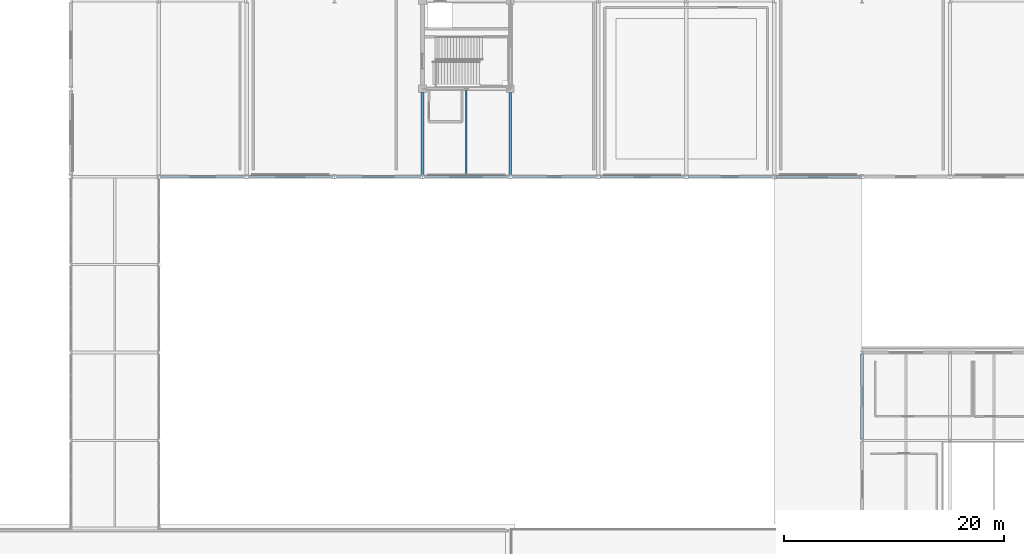
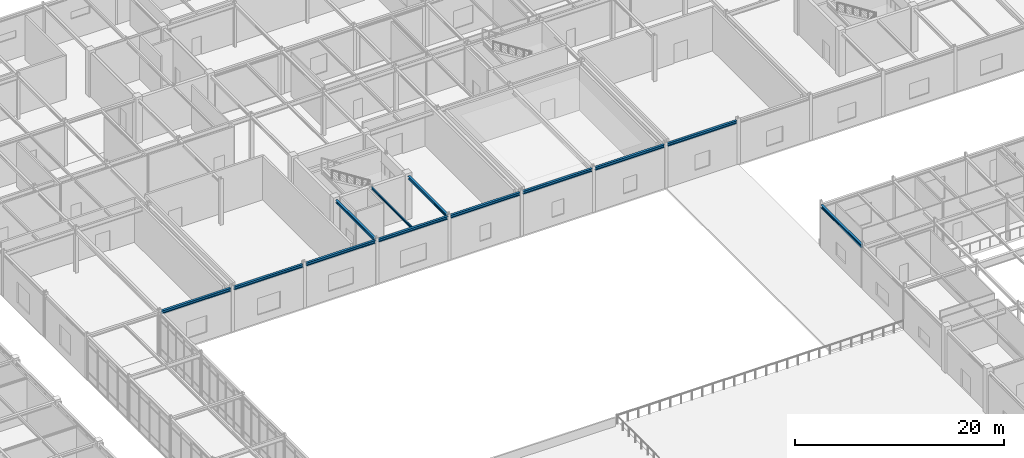
# One storey, part 36 of 108: 12 beams.
"""IFC4 building model written with IfcOpenShell, lengths in metres."""

from ifc_helpers import new_model, si_unit, direction, frame, origin, origin_2d, place, context, subcontext, project, spatial, i_section, extrude, material, material_profile, profile_set, type_object, element, save


model = new_model("IFC4")

# Units and contexts
model_context = context("Model", 3, precision=1e-05, world=origin(), true_north=direction((0.0, 1.0)))
body_context = subcontext(model_context, "Body", "Model", "MODEL_VIEW")
ifc_project = project(units=[si_unit("LENGTHUNIT", "METRE"), si_unit("AREAUNIT", "SQUARE_METRE"), si_unit("VOLUMEUNIT", "CUBIC_METRE"), si_unit("PLANEANGLEUNIT", "RADIAN"), si_unit("MASSUNIT", "GRAM", prefix="KILO")], contexts=[model_context])

# Site, building, storey
site_placement = place(None, origin())
site = spatial("IfcSite", under=ifc_project, at=site_placement, CompositionType="ELEMENT")
building_placement = place(site_placement, origin())
building = spatial("IfcBuilding", under=site, at=building_placement, Name="Zhaolan Boulevard Law Courts", CompositionType="ELEMENT")
storey_placement = place(building_placement, frame((0.0, 0.0, 10.800048828125)))
storey = spatial("IfcBuildingStorey", under=building, at=storey_placement, Name="L02", CompositionType="ELEMENT", Elevation=10.800048828125)

# Beams
ifc_material_1 = material(Name="Structural steel Q355B", Category="steel")
ifc_material_profile_1 = material_profile(ifc_material_1, i_section(OverallWidth=0.25, OverallDepth=0.340087890625, WebThickness=0.009033203125, FlangeThickness=0.013916015625, FilletRadius=0.01611328125, at=origin_2d()), Name="HM340x250")
ifc_profile_set_1 = profile_set([ifc_material_profile_1], Name="Structural steel Q355B")
beam_type_1 = type_object("IfcBeamType", Name="GIRDER HM340", PredefinedType="BEAM", material=ifc_profile_set_1)
for number, where, z_axis, x_axis, name in (
    (1, (84.0, 62.1708984375, 4.947998046875), (0.0, 1.0, 0.0), (-1.0, 0.0, 0.0), "Beam BY-L03-11-J-K"),
    (2, (92.0, 62.1708984375, 4.947998046875), (0.0, 1.0, 0.0), (-1.0, 0.0, 0.0), "Beam BY-L03-12-J-K"),
):
    element("IfcBeam", number, at=place(storey_placement, frame(where, z_axis=z_axis, x_axis=x_axis)), inside=storey, type_object=beam_type_1, Name=name, PredefinedType="BEAM", context=body_context, shape_type="SweptSolid", body=[
        extrude(i_section(OverallWidth=0.25, OverallDepth=0.340087890625, WebThickness=0.009033203125, FlangeThickness=0.013916015625, FilletRadius=0.01611328125, at=origin_2d()), origin(), (0.0, 0.0, 1.0), 7.483154296875),
    ])
beam_1_placement = place(storey_placement, frame((124.0, 38.12109375, 4.787841796875), z_axis=(0.0, 1.0, 0.0), x_axis=(-1.0, 0.0, 0.0)))
element("IfcBeam", 3, at=beam_1_placement, inside=storey, type_object=beam_type_1, Name="Beam BY-L03-16-F-G", PredefinedType="BEAM", context=body_context, shape_type="SweptSolid", body=[
    extrude(i_section(OverallWidth=0.25, OverallDepth=0.340087890625, WebThickness=0.009033203125, FlangeThickness=0.013916015625, FilletRadius=0.01611328125, at=origin_2d()), origin(), (0.0, 0.0, 1.0), 7.7578125),
])
ifc_material_2 = material(Name="Structural steel Q355B", Category="steel")
ifc_material_profile_2 = material_profile(ifc_material_2, i_section(OverallWidth=0.125, OverallDepth=0.25, WebThickness=0.006103515625, FlangeThickness=0.009033203125, FilletRadius=0.010009765625, at=origin_2d()), Name="HN250x125")
ifc_profile_set_2 = profile_set([ifc_material_profile_2], Name="Structural steel Q355B")
beam_type_2 = type_object("IfcBeamType", Name="JOIST HN250", PredefinedType="JOIST", material=ifc_profile_set_2)
beam_2_placement = place(storey_placement, frame((88.0, 62.12109375, 4.992919921875), z_axis=(0.0, 1.0, 0.0), x_axis=(-1.0, 0.0, 0.0)))
element("IfcBeam", 4, at=beam_2_placement, inside=storey, type_object=beam_type_2, Name="Composite Joist J-L03-11J", PredefinedType="JOIST", context=body_context, shape_type="SweptSolid", body=[
    extrude(i_section(OverallWidth=0.125, OverallDepth=0.25, WebThickness=0.006103515625, FlangeThickness=0.009033203125, FilletRadius=0.010009765625, at=origin_2d()), origin(), (0.0, 0.0, 1.0), 7.782958984375),
])
ifc_material_3 = material(Name="Structural steel Q355B", Category="steel")
ifc_material_profile_3 = material_profile(ifc_material_3, i_section(OverallWidth=0.25, OverallDepth=0.340087890625, WebThickness=0.009033203125, FlangeThickness=0.013916015625, FilletRadius=0.01611328125, at=origin_2d()), Name="HM340x250")
ifc_profile_set_3 = profile_set([ifc_material_profile_3], Name="Structural steel Q355B")
beam_type_3 = type_object("IfcBeamType", Name="SPANDREL HM340", PredefinedType="SPANDREL", material=ifc_profile_set_3)
for number, where, z_axis, x_axis, name in (
    (5, (60.1708984375, 62.0, 4.947998046875), (1.0, 0.0, 0.0), (0.0, 1.0, 0.0), "Beam BX-L03-8-9-J"),
    (6, (68.1708984375, 62.0, 4.947998046875), (1.0, 0.0, 0.0), (0.0, 1.0, 0.0), "Beam BX-L03-9-10-J"),
    (7, (76.1708984375, 62.0, 4.947998046875), (1.0, 0.0, 0.0), (0.0, 1.0, 0.0), "Beam BX-L03-10-11-J"),
    (8, (84.1708984375, 62.0, 4.947998046875), (1.0, 0.0, 0.0), (0.0, 1.0, 0.0), "Beam BX-L03-11-12-J"),
    (9, (92.1708984375, 62.0, 4.947998046875), (1.0, 0.0, 0.0), (0.0, 1.0, 0.0), "Beam BX-L03-12-13-J"),
    (10, (100.1708984375, 62.0, 4.947998046875), (1.0, 0.0, 0.0), (0.0, 1.0, 0.0), "Beam BX-L03-13-14-J"),
    (11, (108.1708984375, 62.0, 4.947998046875), (1.0, 0.0, 0.0), (0.0, 1.0, 0.0), "Beam BX-L03-14-15-J"),
    (12, (116.1708984375, 62.0, 4.947998046875), (1.0, 0.0, 0.0), (0.0, 1.0, 0.0), "Beam BX-L03-15-16-J"),
):
    element("IfcBeam", number, at=place(storey_placement, frame(where, z_axis=z_axis, x_axis=x_axis)), inside=storey, type_object=beam_type_3, Name=name, PredefinedType="SPANDREL", context=body_context, shape_type="SweptSolid", body=[
        extrude(i_section(OverallWidth=0.25, OverallDepth=0.340087890625, WebThickness=0.009033203125, FlangeThickness=0.013916015625, FilletRadius=0.01611328125, at=origin_2d()), origin(), (0.0, 0.0, 1.0), 7.658203125),
    ])

save(model, "model.ifc")
